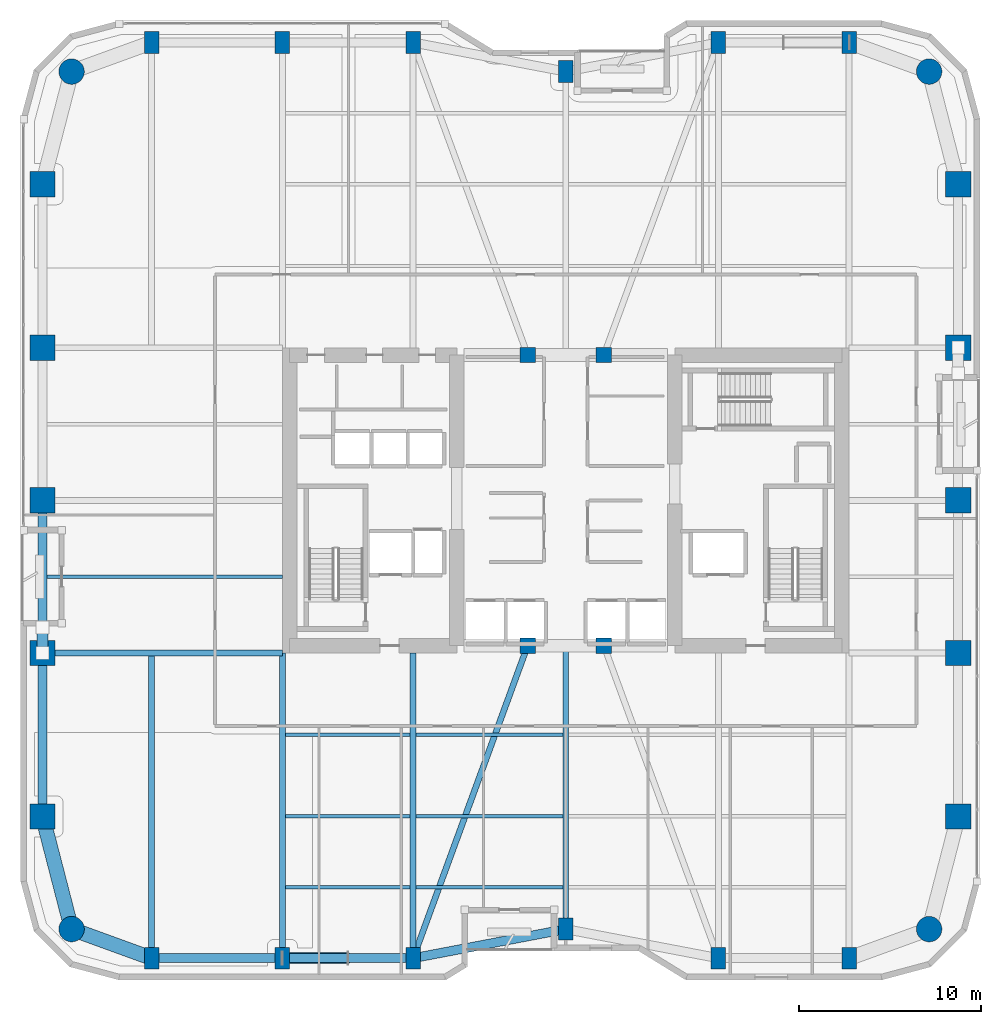
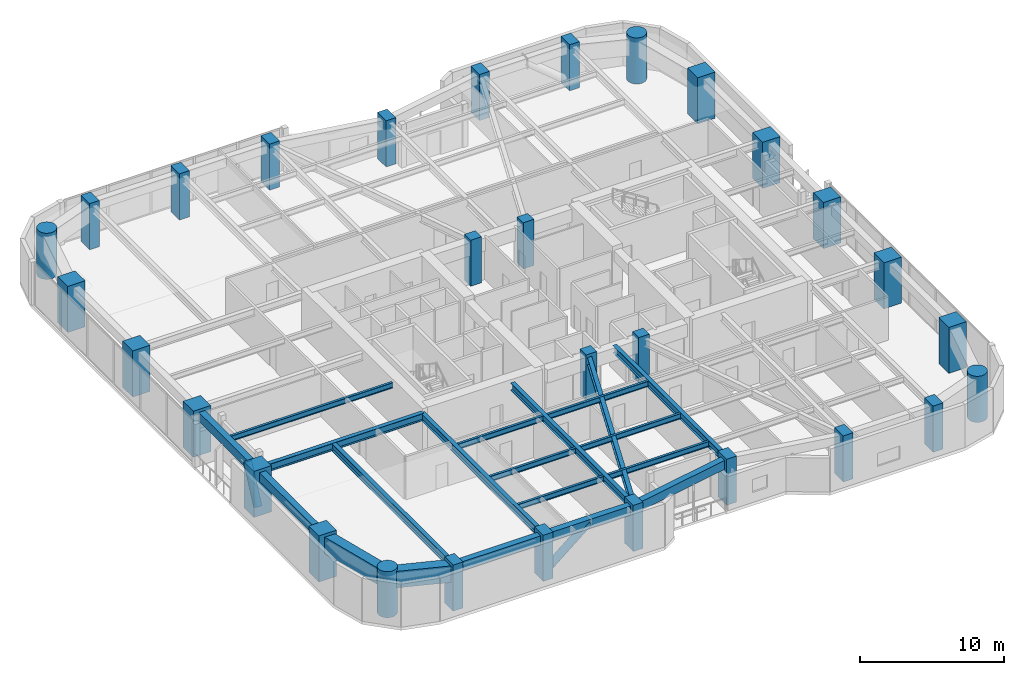
# One storey, part 1 of 24: 30 columns, 20 beams, 2 members.
"""IFC4 building model written with IfcOpenShell, lengths in metres."""

import ifcopenshell
import ifcopenshell.guid

model = None  # the IFC model being written
_history = None  # IfcOwnerHistory: only IFC2X3 demands one
_inside = {}  # id of a spatial element -> (the spatial element, [elements in it])
_under = {}  # id of a project, library or spatial element -> (it, [spatial elements below it])
_declared = {}  # id of a project -> (the project, [libraries it declares])
_typed = {}  # id of a type object -> (the type object, [elements of that type])
_made_of = {}  # id of a material, layer set ... -> (it, [elements and type objects made of it])


def new_model(schema):
    """Start an empty IFC model of exactly this schema.

    Asked for "IFC4X3", IfcOpenShell would pick the latest addendum, in which some entities
    have other attributes; the version numbers below select the first issue.
    IFC2X3 requires an IfcOwnerHistory on every rooted entity: one is made here for all.
    """
    global model, _history
    if schema == "IFC4X3":
        model = ifcopenshell.file(schema_version=(4, 3, 0, 0))
    else:
        model = ifcopenshell.file(schema=schema)
    _inside.clear()
    _under.clear()
    _declared.clear()
    _typed.clear()
    _made_of.clear()
    _history = None
    if model.schema == "IFC2X3":
        org = make("IfcOrganization", Name="unknown")
        user = make(
            "IfcPersonAndOrganization",
            ThePerson=make("IfcPerson", FamilyName="unknown"),
            TheOrganization=org,
        )
        app = make(
            "IfcApplication",
            ApplicationDeveloper=org,
            Version="unknown",
            ApplicationFullName="unknown",
            ApplicationIdentifier="unknown",
        )
        _history = make(
            "IfcOwnerHistory",
            OwningUser=user,
            OwningApplication=app,
            ChangeAction="ADDED",
            CreationDate=0,
        )
    return model


def make(cls, **values):
    """One entity of the class cls with the attributes given. An attribute that is None is left unset."""
    return model.create_entity(
        cls, **{name: value for name, value in values.items() if value is not None}
    )


def rooted(cls, **values):
    """An entity with a GlobalId (a new one), such as an element, a storey or a relation."""
    return make(cls, GlobalId=ifcopenshell.guid.new(), OwnerHistory=_history, **values)


def si_unit(unit_type, name, prefix=None):
    """IfcSIUnit, for example si_unit("LENGTHUNIT", "METRE", prefix="MILLI")."""
    return make("IfcSIUnit", UnitType=unit_type, Prefix=prefix, Name=name)


def assignment(units):
    """IfcUnitAssignment: the units of a project."""
    return None if units is None else make("IfcUnitAssignment", Units=units)


def point(xyz):
    """IfcCartesianPoint."""
    return None if xyz is None else make("IfcCartesianPoint", Coordinates=xyz)


def direction(xyz):
    """IfcDirection."""
    return None if xyz is None else make("IfcDirection", DirectionRatios=xyz)


def frame(location, z_axis=None, x_axis=None):
    """IfcAxis2Placement3D, a coordinate frame: its origin and axes. An axis left out is left unset."""
    return make(
        "IfcAxis2Placement3D",
        Location=point(location),
        Axis=direction(z_axis),
        RefDirection=direction(x_axis),
    )


def frame_2d(location, x_axis=None):
    """IfcAxis2Placement2D, a coordinate frame in the plane: its origin and x axis."""
    return make(
        "IfcAxis2Placement2D", Location=point(location), RefDirection=direction(x_axis)
    )


def origin():
    """The frame at (0, 0, 0) with its axes left unset."""
    return frame((0.0, 0.0, 0.0))


def origin_2d():
    """The frame at (0, 0) in the plane with its x axis left unset."""
    return frame_2d((0.0, 0.0))


def place(relative_to, where):
    """IfcLocalPlacement: puts the frame where relative to a parent placement (None: the world)."""
    return make(
        "IfcLocalPlacement", PlacementRelTo=relative_to, RelativePlacement=where
    )


def context(
    kind, dimensions, precision=None, world=None, true_north=None, identifier=None
):
    """IfcGeometricRepresentationContext, for example the 3D "Model" context."""
    return make(
        "IfcGeometricRepresentationContext",
        ContextIdentifier=identifier,
        ContextType=kind,
        CoordinateSpaceDimension=dimensions,
        Precision=precision,
        WorldCoordinateSystem=world,
        TrueNorth=true_north,
    )


def subcontext(parent, identifier, kind, view, scale=None):
    """IfcGeometricRepresentationSubContext, for example "Body" below "Model"."""
    return make(
        "IfcGeometricRepresentationSubContext",
        ContextIdentifier=identifier,
        ContextType=kind,
        ParentContext=parent,
        TargetScale=scale,
        TargetView=view,
    )


def project(units=None, contexts=None):
    """IfcProject with its units and contexts."""
    return rooted(
        "IfcProject",
        Name="project",
        RepresentationContexts=contexts,
        UnitsInContext=assignment(units),
    )


def spatial(cls, under=None, at=None, **own):
    """A site, building, storey or space (cls), placed at a placement, below another one or the project."""
    s = rooted(cls, ObjectPlacement=at, **own)
    if under is not None:
        _under.setdefault(under.id(), (under, []))[1].append(s)
    return s


def profile(cls, at=None, kind="AREA", **sizes):
    """A parametric profile (cls). Its sizes go by their IFC names, for example OverallWidth=200.0."""
    return make(cls, ProfileType=kind, Position=at, **sizes)


def rectangle(**sizes):
    """IfcRectangleProfileDef."""
    return profile("IfcRectangleProfileDef", **sizes)


def circle(**sizes):
    """IfcCircleProfileDef."""
    return profile("IfcCircleProfileDef", **sizes)


def hollow_circle(**sizes):
    """IfcCircleHollowProfileDef."""
    return profile("IfcCircleHollowProfileDef", **sizes)


def i_section(**sizes):
    """IfcIShapeProfileDef."""
    return profile("IfcIShapeProfileDef", **sizes)


def extrude(swept, where, along, depth):
    """IfcExtrudedAreaSolid: the profile swept, set in the frame where, extruded along a direction by depth."""
    return make(
        "IfcExtrudedAreaSolid",
        SweptArea=swept,
        Position=where,
        ExtrudedDirection=direction(along),
        Depth=depth,
    )


def shape(context_of_items, identifier, shape_type, items):
    """IfcShapeRepresentation: the items that make up one representation, for example the "Body"."""
    return make(
        "IfcShapeRepresentation",
        ContextOfItems=context_of_items,
        RepresentationIdentifier=identifier,
        RepresentationType=shape_type,
        Items=items,
    )


def material(Name=None, Category=None):
    """IfcMaterial."""
    return make("IfcMaterial", Name=Name, Category=Category)


def material_profile(
    of_material, cross_section, Name=None, Category=None, Priority=None
):
    """IfcMaterialProfile: a cross section and its material."""
    return make(
        "IfcMaterialProfile",
        Name=Name,
        Material=of_material,
        Profile=cross_section,
        Priority=Priority,
        Category=Category,
    )


def profile_set(profiles, Name=None, composite=None):
    """IfcMaterialProfileSet."""
    return make(
        "IfcMaterialProfileSet",
        Name=Name,
        MaterialProfiles=profiles,
        CompositeProfile=composite,
    )


def made_of(thing, what):
    """Note that an element or type object is made of a material, layer set ...; save() writes the relation."""
    if what is not None:
        _made_of.setdefault(what.id(), (what, []))[1].append(thing)
    return thing


def type_object(cls, material=None, **own):
    """A type object (cls), such as IfcWallType, which elements share."""
    return made_of(rooted(cls, **own), material)


def element(
    cls,
    number,
    at=None,
    inside=None,
    cuts=None,
    type_object=None,
    material=None,
    context=None,
    identifier="Body",
    shape_type=None,
    held_by="IfcProductDefinitionShape",
    body=None,
    shapes=None,
    **own,
):
    """One element of the class cls, such as IfcWall. Its Tag is "e" and its number.

    at: its placement. inside: the storey or other place that contains it. cuts: it is an
    opening in that element (IfcRelVoidsElement). A single representation is given by context,
    identifier, shape_type and body (its items); several are given by shapes. held_by: the class
    of the entity that holds the representations. save() writes the other relations.
    """
    e = rooted(cls, Tag="e%d" % number, ObjectPlacement=at, **own)
    if body is not None:
        shapes = [shape(context, identifier, shape_type, body)]
    if shapes is not None:
        e.Representation = make(held_by, Representations=shapes)
    if inside is not None:
        _inside.setdefault(inside.id(), (inside, []))[1].append(e)
    if cuts is not None:
        rooted(
            "IfcRelVoidsElement", RelatingBuildingElement=cuts, RelatedOpeningElement=e
        )
    if type_object is not None:
        _typed.setdefault(type_object.id(), (type_object, []))[1].append(e)
    return made_of(e, material)


def aggregate(whole, parts):
    """IfcRelAggregates: a whole, such as a stair, and the parts it consists of."""
    return rooted("IfcRelAggregates", RelatingObject=whole, RelatedObjects=parts)


def save(model, path):
    """Write the relations noted so far, then the file.

    IfcRelAggregates (storeys below a building ...), IfcRelContainedInSpatialStructure (elements
    in a storey), IfcRelDefinesByType, IfcRelAssociatesMaterial and IfcRelDeclares: one each for
    every whole, place, type object, material and project.
    """
    for whole, parts in _under.values():
        aggregate(whole, parts)
    for where, things in _inside.values():
        rooted(
            "IfcRelContainedInSpatialStructure",
            RelatedElements=things,
            RelatingStructure=where,
        )
    for kind, things in _typed.values():
        rooted("IfcRelDefinesByType", RelatedObjects=things, RelatingType=kind)
    for what, things in _made_of.values():
        rooted("IfcRelAssociatesMaterial", RelatedObjects=things, RelatingMaterial=what)
    for by, libraries in _declared.values():
        rooted("IfcRelDeclares", RelatingContext=by, RelatedDefinitions=libraries)
    model.write(path)


model = new_model("IFC4")

# Units and contexts
model_context = context("Model", 3, precision=1e-05, world=origin(), true_north=direction((0.0, 1.0)))
body_context = subcontext(model_context, "Body", "Model", "MODEL_VIEW")
ifc_project = project(units=[si_unit("LENGTHUNIT", "METRE"), si_unit("AREAUNIT", "SQUARE_METRE"), si_unit("VOLUMEUNIT", "CUBIC_METRE"), si_unit("PLANEANGLEUNIT", "RADIAN"), si_unit("MASSUNIT", "GRAM", prefix="KILO")], contexts=[model_context])

# Site, building, storey
site_placement = place(None, origin())
site = spatial("IfcSite", under=ifc_project, at=site_placement, CompositionType="ELEMENT")
building_placement = place(site_placement, origin())
building = spatial("IfcBuilding", under=site, at=building_placement, Name="Kiyonajd Concourse Tower", CompositionType="ELEMENT")
storey_placement = place(building_placement, frame((0.0, 0.0, 113.10009765625)))
storey = spatial("IfcBuildingStorey", under=building, at=storey_placement, Name="L29", CompositionType="ELEMENT", Elevation=113.10009765625)

# Columns
ifc_material_1 = material(Name="Concrete C70/85", Category="concrete")
ifc_material_profile_1 = material_profile(ifc_material_1, rectangle(XDim=0.800048828125, YDim=1.199951171875, at=origin_2d()), Name="RC-1200x800")
ifc_profile_set_1 = profile_set([ifc_material_profile_1], Name="Concrete C70/85")
column_type_1 = type_object("IfcColumnType", Name="CL-BLADE-1200", PredefinedType="COLUMN", material=ifc_profile_set_1)
for number, where, z_axis, x_axis, name in (
    (1, (25.199951171875, 10.800048828125, 0.0), (0.0, 0.0, 1.0), (1.0, 0.0, 0.0), "L29 Perimeter Bundled Tube Column"),
    (2, (25.199951171875, 61.199951171875, 0.0), (0.0, 0.0, 1.0), (1.0, 0.0, 0.0), "L29 Perimeter Bundled Tube Column"),
    (3, (32.39990234375, 10.800048828125, 0.0), (0.0, 0.0, 1.0), (1.0, 0.0, 0.0), "L29 Perimeter Bundled Tube Column"),
    (4, (32.39990234375, 61.199951171875, 0.0), (0.0, 0.0, 1.0), (1.0, 0.0, 0.0), "L29 Perimeter Bundled Tube Column"),
    (5, (39.60009765625, 10.800048828125, 0.0), (0.0, 0.0, 1.0), (1.0, 0.0, 0.0), "L29 Perimeter Bundled Tube Column"),
    (6, (39.60009765625, 61.199951171875, 0.0), (0.0, 0.0, 1.0), (1.0, 0.0, 0.0), "L29 Perimeter Bundled Tube Column"),
    (7, (48.0, 12.39990234375, 0.0), (0.0, 0.0, 1.0), (1.0, 0.0, 0.0), "L29 Perimeter Bundled Tube Column"),
    (8, (48.0, 59.60009765625, 0.0), (0.0, 0.0, 1.0), (1.0, 0.0, 0.0), "L29 Perimeter Bundled Tube Column"),
    (9, (56.39990234375, 10.800048828125, 0.0), (0.0, 0.0, 1.0), (1.0, 0.0, 0.0), "L29 Perimeter Bundled Tube Column"),
    (10, (56.39990234375, 61.199951171875, 0.0), (0.0, 0.0, 1.0), (1.0, 0.0, 0.0), "L29 Perimeter Bundled Tube Column"),
    (11, (63.60009765625, 10.800048828125, 0.0), (0.0, 0.0, 1.0), (1.0, 0.0, 0.0), "L29 Perimeter Bundled Tube Column"),
    (12, (63.60009765625, 61.199951171875, 0.0), (0.0, 0.0, 1.0), (1.0, 0.0, 0.0), "L29 Perimeter Bundled Tube Column"),
):
    element("IfcColumn", number, at=place(storey_placement, frame(where, z_axis=z_axis, x_axis=x_axis)), inside=storey, type_object=column_type_1, Name=name, PredefinedType="COLUMN", context=body_context, shape_type="SweptSolid", body=[
        extrude(rectangle(XDim=0.800048828125, YDim=1.199951171875, at=origin_2d()), origin(), (0.0, 0.0, 1.0), 3.89990234375),
    ])
ifc_material_2 = material(Name="Concrete C80/95", Category="concrete")
ifc_material_profile_2 = material_profile(ifc_material_2, circle(Radius=0.699951171875, at=origin_2d()), Name="RCC-D1400")
ifc_profile_set_2 = profile_set([ifc_material_profile_2], Name="Concrete C80/95")
column_type_2 = type_object("IfcColumnType", Name="CL-RND-1400", PredefinedType="COLUMN", material=ifc_profile_set_2)
for number, where, z_axis, x_axis, name in (
    (13, (20.800048828125, 12.39990234375, 0.0), (0.0, 0.0, 1.0), (1.0, 0.0, 0.0), "L29 Bundled Tube Corner Column South West"),
    (14, (68.0, 12.39990234375, 0.0), (0.0, 0.0, 1.0), (1.0, 0.0, 0.0), "L29 Bundled Tube Corner Column South East"),
    (15, (68.0, 59.60009765625, 0.0), (0.0, 0.0, 1.0), (1.0, 0.0, 0.0), "L29 Bundled Tube Corner Column North East"),
    (16, (20.800048828125, 59.60009765625, 0.0), (0.0, 0.0, 1.0), (1.0, 0.0, 0.0), "L29 Bundled Tube Corner Column North West"),
):
    element("IfcColumn", number, at=place(storey_placement, frame(where, z_axis=z_axis, x_axis=x_axis)), inside=storey, type_object=column_type_2, Name=name, PredefinedType="COLUMN", context=body_context, shape_type="SweptSolid", body=[
        extrude(circle(Radius=0.699951171875, at=origin_2d()), origin(), (0.0, 0.0, 1.0), 3.89990234375),
    ])
ifc_material_profile_3 = material_profile(ifc_material_1, rectangle(XDim=1.39990234375, YDim=1.39990234375, at=origin_2d()), Name="RC-1400x1400")
ifc_profile_set_3 = profile_set([ifc_material_profile_3], Name="Concrete C70/85")
column_type_3 = type_object("IfcColumnType", Name="CL-TUBE-1400", PredefinedType="COLUMN", material=ifc_profile_set_3)
for number, where, z_axis, x_axis, name in (
    (17, (19.199951171875, 18.60009765625, 0.0), (0.0, 0.0, 1.0), (1.0, 0.0, 0.0), "L29 Perimeter Bundled Tube Column"),
    (18, (69.60009765625, 18.60009765625, 0.0), (0.0, 0.0, 1.0), (1.0, 0.0, 0.0), "L29 Perimeter Bundled Tube Column"),
    (19, (19.199951171875, 27.60009765625, 0.0), (0.0, 0.0, 1.0), (1.0, 0.0, 0.0), "L29 Perimeter Bundled Tube Column"),
    (20, (69.60009765625, 27.60009765625, 0.0), (0.0, 0.0, 1.0), (1.0, 0.0, 0.0), "L29 Perimeter Bundled Tube Column"),
    (21, (19.199951171875, 36.0, 0.0), (0.0, 0.0, 1.0), (1.0, 0.0, 0.0), "L29 Perimeter Bundled Tube Column"),
    (22, (69.60009765625, 36.0, 0.0), (0.0, 0.0, 1.0), (1.0, 0.0, 0.0), "L29 Perimeter Bundled Tube Column"),
    (23, (19.199951171875, 44.39990234375, 0.0), (0.0, 0.0, 1.0), (1.0, 0.0, 0.0), "L29 Perimeter Bundled Tube Column"),
    (24, (69.60009765625, 44.39990234375, 0.0), (0.0, 0.0, 1.0), (1.0, 0.0, 0.0), "L29 Perimeter Bundled Tube Column"),
    (25, (19.199951171875, 53.39990234375, 0.0), (0.0, 0.0, 1.0), (1.0, 0.0, 0.0), "L29 Perimeter Bundled Tube Column"),
    (26, (69.60009765625, 53.39990234375, 0.0), (0.0, 0.0, 1.0), (1.0, 0.0, 0.0), "L29 Perimeter Bundled Tube Column"),
):
    element("IfcColumn", number, at=place(storey_placement, frame(where, z_axis=z_axis, x_axis=x_axis)), inside=storey, type_object=column_type_3, Name=name, PredefinedType="COLUMN", context=body_context, shape_type="SweptSolid", body=[
        extrude(rectangle(XDim=1.39990234375, YDim=1.39990234375, at=origin_2d()), origin(), (0.0, 0.0, 1.0), 3.89990234375),
    ])
ifc_material_3 = material(Name="Concrete C60/75", Category="concrete")
ifc_material_profile_4 = material_profile(ifc_material_3, rectangle(XDim=0.85009765625, YDim=0.85009765625, at=origin_2d()), Name="RC-850x850")
ifc_profile_set_4 = profile_set([ifc_material_profile_4], Name="Concrete C60/75")
column_type_4 = type_object("IfcColumnType", Name="CL-TUBE-850", PredefinedType="COLUMN", material=ifc_profile_set_4)
for number, where, z_axis, x_axis, name in (
    (27, (45.89990234375, 28.0, 0.0), (0.0, 0.0, 1.0), (1.0, 0.0, 0.0), "L29 Core Tie Column South West"),
    (28, (50.10009765625, 28.0, 0.0), (0.0, 0.0, 1.0), (1.0, 0.0, 0.0), "L29 Core Tie Column South East"),
    (29, (45.89990234375, 44.0, 0.0), (0.0, 0.0, 1.0), (1.0, 0.0, 0.0), "L29 Core Tie Column North West"),
    (30, (50.10009765625, 44.0, 0.0), (0.0, 0.0, 1.0), (1.0, 0.0, 0.0), "L29 Core Tie Column North East"),
):
    element("IfcColumn", number, at=place(storey_placement, frame(where, z_axis=z_axis, x_axis=x_axis)), inside=storey, type_object=column_type_4, Name=name, PredefinedType="COLUMN", context=body_context, shape_type="SweptSolid", body=[
        extrude(rectangle(XDim=0.85009765625, YDim=0.85009765625, at=origin_2d()), origin(), (0.0, 0.0, 1.0), 3.89990234375),
    ])

# Beams
ifc_material_4 = material(Name="Steel ASTM A992 Grade 50", Category="steel")
ifc_material_profile_5 = material_profile(ifc_material_4, i_section(OverallWidth=0.19189453125, OverallDepth=0.462890625, WebThickness=0.010498046875, FlangeThickness=0.017578125, at=origin_2d()), Name="W460X89")
ifc_profile_set_5 = profile_set([ifc_material_profile_5], Name="Steel ASTM A992 Grade 50")
beam_type_1 = type_object("IfcBeamType", Name="BM-JST-460B", PredefinedType="JOIST", material=ifc_profile_set_5)
beam_1_placement = place(storey_placement, frame((32.5634765625, 14.699951171875, 3.408447265625), z_axis=(1.0, 0.0, 0.0), x_axis=(0.0, 1.0, 0.0)))
element("IfcBeam", 31, at=beam_1_placement, inside=storey, type_object=beam_type_1, Name="L29 Secondary Floor Joist", PredefinedType="JOIST", context=body_context, shape_type="SweptSolid", body=[
    extrude(i_section(OverallWidth=0.19189453125, OverallDepth=0.462890625, WebThickness=0.010498046875, FlangeThickness=0.017578125, at=origin_2d()), origin(), (0.0, 0.0, 1.0), 6.873046875),
])
beam_2_placement = place(storey_placement, frame((39.763427734375, 14.699951171875, 3.408447265625), z_axis=(1.0, 0.0, 0.0), x_axis=(0.0, 1.0, 0.0)))
element("IfcBeam", 32, at=beam_2_placement, inside=storey, type_object=beam_type_1, Name="L29 Secondary Floor Joist", PredefinedType="JOIST", context=body_context, shape_type="SweptSolid", body=[
    extrude(i_section(OverallWidth=0.19189453125, OverallDepth=0.462890625, WebThickness=0.010498046875, FlangeThickness=0.017578125, at=origin_2d()), origin(), (0.0, 0.0, 1.0), 8.072998046875),
])
beam_3_placement = place(storey_placement, frame((32.5634765625, 18.60009765625, 3.408447265625), z_axis=(1.0, 0.0, 0.0), x_axis=(0.0, 1.0, 0.0)))
element("IfcBeam", 33, at=beam_3_placement, inside=storey, type_object=beam_type_1, Name="L29 Secondary Floor Joist", PredefinedType="JOIST", context=body_context, shape_type="SweptSolid", body=[
    extrude(i_section(OverallWidth=0.19189453125, OverallDepth=0.462890625, WebThickness=0.010498046875, FlangeThickness=0.017578125, at=origin_2d()), origin(), (0.0, 0.0, 1.0), 6.873046875),
])
beam_4_placement = place(storey_placement, frame((39.763427734375, 18.60009765625, 3.408447265625), z_axis=(1.0, 0.0, 0.0), x_axis=(0.0, 1.0, 0.0)))
element("IfcBeam", 34, at=beam_4_placement, inside=storey, type_object=beam_type_1, Name="L29 Secondary Floor Joist", PredefinedType="JOIST", context=body_context, shape_type="SweptSolid", body=[
    extrude(i_section(OverallWidth=0.19189453125, OverallDepth=0.462890625, WebThickness=0.010498046875, FlangeThickness=0.017578125, at=origin_2d()), origin(), (0.0, 0.0, 1.0), 8.072998046875),
])
beam_5_placement = place(storey_placement, frame((32.5634765625, 23.10009765625, 3.408447265625), z_axis=(1.0, 0.0, 0.0), x_axis=(0.0, 1.0, 0.0)))
element("IfcBeam", 35, at=beam_5_placement, inside=storey, type_object=beam_type_1, Name="L29 Secondary Floor Joist", PredefinedType="JOIST", context=body_context, shape_type="SweptSolid", body=[
    extrude(i_section(OverallWidth=0.19189453125, OverallDepth=0.462890625, WebThickness=0.010498046875, FlangeThickness=0.017578125, at=origin_2d()), origin(), (0.0, 0.0, 1.0), 6.873046875),
])
beam_6_placement = place(storey_placement, frame((39.763427734375, 23.10009765625, 3.408447265625), z_axis=(1.0, 0.0, 0.0), x_axis=(0.0, 1.0, 0.0)))
element("IfcBeam", 36, at=beam_6_placement, inside=storey, type_object=beam_type_1, Name="L29 Secondary Floor Joist", PredefinedType="JOIST", context=body_context, shape_type="SweptSolid", body=[
    extrude(i_section(OverallWidth=0.19189453125, OverallDepth=0.462890625, WebThickness=0.010498046875, FlangeThickness=0.017578125, at=origin_2d()), origin(), (0.0, 0.0, 1.0), 8.072998046875),
])
beam_7_placement = place(storey_placement, frame((19.449951171875, 31.800048828125, 3.408447265625), z_axis=(1.0, 0.0, 0.0), x_axis=(0.0, 1.0, 0.0)))
element("IfcBeam", 37, at=beam_7_placement, inside=storey, type_object=beam_type_1, Name="L29 West Secondary Floor Joist", PredefinedType="JOIST", context=body_context, shape_type="SweptSolid", body=[
    extrude(i_section(OverallWidth=0.19189453125, OverallDepth=0.462890625, WebThickness=0.010498046875, FlangeThickness=0.017578125, at=origin_2d()), origin(), (0.0, 0.0, 1.0), 12.949951171875),
])
ifc_material_5 = material(Name="Precast concrete C50/60", Category="concrete")
ifc_material_profile_6 = material_profile(ifc_material_5, rectangle(XDim=0.5, YDim=0.75, at=origin_2d()), Name="RCBM-500x750")
ifc_profile_set_6 = profile_set([ifc_material_profile_6], Name="Precast concrete C50/60")
beam_type_2 = type_object("IfcBeamType", Name="BM-SPAN-RC", PredefinedType="SPANDREL", material=ifc_profile_set_6)
beam_8_placement = place(storey_placement, frame((19.199951171875, 27.60009765625, 3.264892578125), z_axis=(0.0, -1.0, 0.0), x_axis=(1.0, 0.0, 0.0)))
element("IfcBeam", 38, at=beam_8_placement, inside=storey, type_object=beam_type_2, Name="L29 Perimeter Bundled Tube Spandrel", PredefinedType="SPANDREL", context=body_context, shape_type="SweptSolid", body=[
    extrude(rectangle(XDim=0.5, YDim=0.75, at=origin_2d()), origin(), (0.0, 0.0, 1.0), 9.0),
])
beam_9_placement = place(storey_placement, frame((25.199951171875, 10.800048828125, 3.264892578125), z_axis=(1.0, 0.0, 0.0), x_axis=(0.0, 1.0, 0.0)))
element("IfcBeam", 39, at=beam_9_placement, inside=storey, type_object=beam_type_2, Name="L29 Perimeter Bundled Tube Spandrel", PredefinedType="SPANDREL", context=body_context, shape_type="SweptSolid", body=[
    extrude(rectangle(XDim=0.5, YDim=0.75, at=origin_2d()), origin(), (0.0, 0.0, 1.0), 7.199951171875),
])
beam_10_placement = place(storey_placement, frame((32.39990234375, 10.800048828125, 3.264892578125), z_axis=(1.0, 0.0, 0.0), x_axis=(0.0, 1.0, 0.0)))
element("IfcBeam", 40, at=beam_10_placement, inside=storey, type_object=beam_type_2, Name="L29 Perimeter Bundled Tube Spandrel", PredefinedType="SPANDREL", context=body_context, shape_type="SweptSolid", body=[
    extrude(rectangle(XDim=0.5, YDim=0.75, at=origin_2d()), origin(), (0.0, 0.0, 1.0), 7.2001953125),
])
beam_11_placement = place(storey_placement, frame((39.60009765625, 10.800048828125, 3.264892578125), z_axis=(0.982341315253, 0.187097675953, 0.0), x_axis=(-0.187097675953, 0.982341315253, 0.0)))
element("IfcBeam", 41, at=beam_11_placement, inside=storey, type_object=beam_type_2, Name="L29 Perimeter Bundled Tube Spandrel", PredefinedType="SPANDREL", context=body_context, shape_type="SweptSolid", body=[
    extrude(rectangle(XDim=0.5, YDim=0.75, at=origin_2d()), origin(), (0.0, 0.0, 1.0), 8.55078125),
])
beam_12_placement = place(storey_placement, frame((19.199951171875, 36.0, 3.264892578125), z_axis=(0.0, -1.0, 0.0), x_axis=(1.0, 0.0, 0.0)))
element("IfcBeam", 42, at=beam_12_placement, inside=storey, type_object=beam_type_2, Name="L29 Perimeter Bundled Tube Spandrel", PredefinedType="SPANDREL", context=body_context, shape_type="SweptSolid", body=[
    extrude(rectangle(XDim=0.5, YDim=0.75, at=origin_2d()), origin(), (0.0, 0.0, 1.0), 8.39990234375),
])
ifc_material_profile_7 = material_profile(ifc_material_4, i_section(OverallWidth=0.326904296875, OverallDepth=0.6220703125, WebThickness=0.015380859375, FlangeThickness=0.0244140625, at=origin_2d()), Name="W610X195")
ifc_profile_set_7 = profile_set([ifc_material_profile_7], Name="Steel ASTM A992 Grade 50")
beam_type_3 = type_object("IfcBeamType", Name="BM-TWR-610A", PredefinedType="BEAM", material=ifc_profile_set_7)
beam_13_placement = place(storey_placement, frame((39.60009765625, 10.800048828125, 3.328857421875), z_axis=(0.343925269715, 0.938997022813, 0.0), x_axis=(-0.938997022813, 0.343925269715, 0.0)))
element("IfcBeam", 43, at=beam_13_placement, inside=storey, type_object=beam_type_3, Name="L29 Core Tie Girder", PredefinedType="BEAM", context=body_context, shape_type="SweptSolid", body=[
    extrude(i_section(OverallWidth=0.326904296875, OverallDepth=0.6220703125, WebThickness=0.015380859375, FlangeThickness=0.0244140625, at=origin_2d()), origin(), (0.0, 0.0, 1.0), 18.3173828125),
])
for number, where, z_axis, x_axis, name in (
    (44, (25.199951171875, 10.800048828125, 3.328857421875), (0.0, 1.0, 0.0), (-1.0, 0.0, 0.0), "L29 South Lease Girder"),
    (45, (32.39990234375, 10.800048828125, 3.328857421875), (0.0, 1.0, 0.0), (-1.0, 0.0, 0.0), "L29 South Lease Girder"),
    (46, (39.60009765625, 10.800048828125, 3.328857421875), (0.0, 1.0, 0.0), (-1.0, 0.0, 0.0), "L29 South Lease Girder"),
):
    element("IfcBeam", number, at=place(storey_placement, frame(where, z_axis=z_axis, x_axis=x_axis)), inside=storey, type_object=beam_type_3, Name=name, PredefinedType="BEAM", context=body_context, shape_type="SweptSolid", body=[
        extrude(i_section(OverallWidth=0.326904296875, OverallDepth=0.6220703125, WebThickness=0.015380859375, FlangeThickness=0.0244140625, at=origin_2d()), origin(), (0.0, 0.0, 1.0), 16.800048828125),
    ])
beam_14_placement = place(storey_placement, frame((48.0, 12.39990234375, 3.328857421875), z_axis=(0.0, 1.0, 0.0), x_axis=(-1.0, 0.0, 0.0)))
element("IfcBeam", 47, at=beam_14_placement, inside=storey, type_object=beam_type_3, Name="L29 South Ribbon Girder", PredefinedType="BEAM", context=body_context, shape_type="SweptSolid", body=[
    extrude(i_section(OverallWidth=0.326904296875, OverallDepth=0.6220703125, WebThickness=0.015380859375, FlangeThickness=0.0244140625, at=origin_2d()), origin(), (0.0, 0.0, 1.0), 15.60009765625),
])
beam_15_placement = place(storey_placement, frame((19.199951171875, 27.60009765625, 3.328857421875), z_axis=(1.0, 0.0, 0.0), x_axis=(0.0, 1.0, 0.0)))
element("IfcBeam", 48, at=beam_15_placement, inside=storey, type_object=beam_type_3, Name="L29 West Lease Girder", PredefinedType="BEAM", context=body_context, shape_type="SweptSolid", body=[
    extrude(i_section(OverallWidth=0.326904296875, OverallDepth=0.6220703125, WebThickness=0.015380859375, FlangeThickness=0.0244140625, at=origin_2d()), origin(), (0.0, 0.0, 1.0), 13.199951171875),
])
ifc_material_profile_8 = material_profile(ifc_material_3, rectangle(XDim=0.800048828125, YDim=1.39990234375, at=origin_2d()), Name="RCBM-800x1400")
ifc_profile_set_8 = profile_set([ifc_material_profile_8], Name="Concrete C60/75")
beam_type_4 = type_object("IfcBeamType", Name="BM-XFER-RC", PredefinedType="BEAM", material=ifc_profile_set_8)
beam_16_placement = place(storey_placement, frame((19.199951171875, 18.60009765625, 2.93994140625), z_axis=(0.249884937687, -0.968275538221, 0.0), x_axis=(0.968275538221, 0.249884937687, 0.0)))
element("IfcBeam", 49, at=beam_16_placement, inside=storey, type_object=beam_type_4, Name="L29 Perimeter Bundled Tube Spandrel", PredefinedType="BEAM", context=body_context, shape_type="SweptSolid", body=[
    extrude(rectangle(XDim=0.800048828125, YDim=1.39990234375, at=origin_2d()), origin(), (0.0, 0.0, 1.0), 6.4033203125),
])
beam_17_placement = place(storey_placement, frame((20.800048828125, 12.39990234375, 2.93994140625), z_axis=(0.939801036019, -0.341722127901, 0.0), x_axis=(0.341722127901, 0.939801036019, 0.0)))
element("IfcBeam", 50, at=beam_17_placement, inside=storey, type_object=beam_type_4, Name="L29 Perimeter Bundled Tube Spandrel", PredefinedType="BEAM", context=body_context, shape_type="SweptSolid", body=[
    extrude(rectangle(XDim=0.800048828125, YDim=1.39990234375, at=origin_2d()), origin(), (0.0, 0.0, 1.0), 4.681640625),
])

# Members
ifc_material_6 = material(Name="Steel ASTM A572 Grade 50", Category="steel")
ifc_material_profile_9 = material_profile(ifc_material_6, hollow_circle(Radius=0.304931640625, WallThickness=0.02490234375, at=origin_2d()), Name="CHS-610x25")
ifc_profile_set_9 = profile_set([ifc_material_profile_9], Name="Steel ASTM A572 Grade 50")
member_type = type_object("IfcMemberType", Name="MB-PB-LOW", PredefinedType="BRACE", material=ifc_profile_set_9)
member_1_placement = place(storey_placement, frame((32.39990234375, 10.800048828125, 0.2998046875), z_axis=(0.769280705518, 0.0, 0.638910945373), x_axis=(0.0, 1.0, 0.0)))
element("IfcMember", 51, at=member_1_placement, inside=storey, type_object=member_type, Name="L29 Lower Zone Welded Tube Brace PBS", PredefinedType="BRACE", context=body_context, shape_type="SweptSolid", body=[
    extrude(hollow_circle(Radius=0.304931640625, WallThickness=0.02490234375, at=origin_2d()), origin(), (0.0, 0.0, 1.0), 4.679931640625),
])
member_2_placement = place(storey_placement, frame((19.199951171875, 27.60009765625, 0.2998046875), z_axis=(0.0, 0.424022702926, 0.905651559598), x_axis=(-1.0, 0.0, 0.0)))
element("IfcMember", 52, at=member_2_placement, inside=storey, type_object=member_type, Name="L29 Lower Zone Welded Tube Brace PBW", PredefinedType="BRACE", context=body_context, shape_type="SweptSolid", body=[
    extrude(hollow_circle(Radius=0.304931640625, WallThickness=0.02490234375, at=origin_2d()), origin(), (0.0, 0.0, 1.0), 3.301513671875),
])

save(model, "model.ifc")
